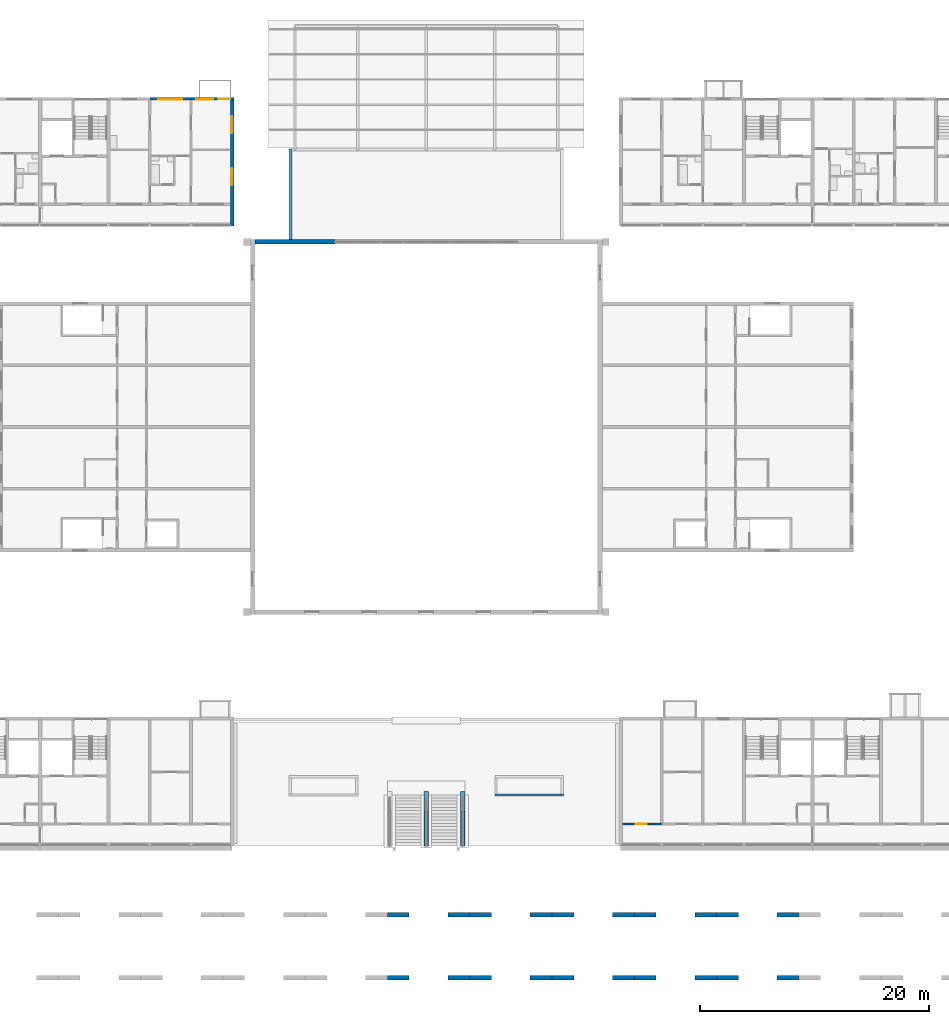
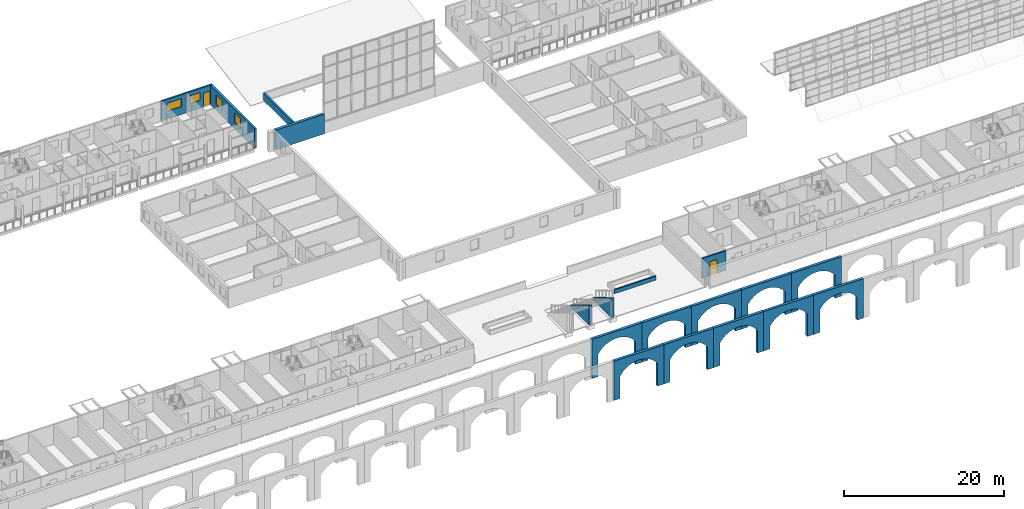
# One storey, part 67 of 122: 19 walls, 4 windows, 2 doors, 6 openings.
"""IFC4 building model written with IfcOpenShell, lengths in metres."""

from ifc_helpers import new_model, si_unit, direction, frame, frame_2d, origin, place, context, subcontext, project, spatial, polyline, rectangle, outline, extrude, material, layer, layer_set, type_object, element, fill, save


model = new_model("IFC4")

# Units and contexts
model_context = context("Model", 3, precision=1e-05, world=origin(), true_north=direction((0.0, 1.0)))
body_context = subcontext(model_context, "Body", "Model", "MODEL_VIEW")
ifc_project = project(units=[si_unit("LENGTHUNIT", "METRE"), si_unit("AREAUNIT", "SQUARE_METRE"), si_unit("VOLUMEUNIT", "CUBIC_METRE"), si_unit("PLANEANGLEUNIT", "RADIAN"), si_unit("MASSUNIT", "GRAM", prefix="KILO")], contexts=[model_context])

# Site, building, storey
site_placement = place(None, origin())
site = spatial("IfcSite", under=ifc_project, at=site_placement, CompositionType="ELEMENT")
building_placement = place(site_placement, origin())
building = spatial("IfcBuilding", under=site, at=building_placement, Name="Ridgestep Commons", CompositionType="ELEMENT")
storey_placement = place(building_placement, frame((0.0, 0.0, 3.0)))
storey = spatial("IfcBuildingStorey", under=building, at=storey_placement, Name="L01", CompositionType="ELEMENT", Elevation=3.0)

# Walls
ifc_material_1 = material(Name="Precast concrete C40/50", Category="concrete")
ifc_layer_1 = layer(ifc_material_1, 0.25)
ifc_layer_set_1 = layer_set([ifc_layer_1], Name="Community parapet 250")
wall_type_1 = type_object("IfcWallType", Name="Community parapet 250", PredefinedType="PARAPET", material=ifc_layer_set_1)
wall_1_placement = place(storey_placement, frame((117.925048828125, 64.800048828125, 1.5), z_axis=(0.0, 0.0, 1.0), x_axis=(0.0, 1.0, 0.0)))
element("IfcWall", 1, at=wall_1_placement, inside=storey, type_object=wall_type_1, Name="Community parapet 250", PredefinedType="PARAPET", context=body_context, shape_type="SweptSolid", body=[
    extrude(rectangle(XDim=7.875, YDim=0.25, at=frame_2d((3.9375, 0.0))), origin(), (0.0, 0.0, 1.0), 1.10009765625),
])
ifc_material_2 = material(Name="Concrete C30/37", Category="concrete")
ifc_layer_2 = layer(ifc_material_2, 0.199951171875)
ifc_layer_set_2 = layer_set([ifc_layer_2], Name="Community planter wall 200")
wall_type_2 = type_object("IfcWallType", Name="Community planter wall 200", PredefinedType="SOLIDWALL", material=ifc_layer_set_2)
wall_2_placement = place(storey_placement, frame((135.800048828125, 16.199951171875, 0.0), z_axis=(0.0, 0.0, 1.0), x_axis=(1.0, 0.0, 0.0)))
element("IfcWall", 2, at=wall_2_placement, inside=storey, type_object=wall_type_2, Name="Planter wall", PredefinedType="SOLIDWALL", context=body_context, shape_type="SweptSolid", body=[
    extrude(rectangle(XDim=6.0, YDim=0.199951171875, at=frame_2d((3.0, 0.0))), origin(), (0.0, 0.0, 1.0), 0.60009765625),
])
ifc_material_3 = material(Name="Concrete C30/37", Category="concrete")
ifc_layer_3 = layer(ifc_material_3, 0.39990234375)
ifc_layer_set_3 = layer_set([ifc_layer_3], Name="Community retaining wall 400")
wall_type_3 = type_object("IfcWallType", Name="Community retaining wall 400", PredefinedType="SOLIDWALL", material=ifc_layer_set_3)
for number, where, z_axis, x_axis, name in (
    (3, (133.0, 11.75, 0.0), (0.0, 0.0, 1.0), (0.0, 1.0, 0.0), "Stair cheek wall"),
    (4, (129.800048828125, 11.75, 0.0), (0.0, 0.0, 1.0), (0.0, 1.0, 0.0), "Stair spine wall"),
):
    element("IfcWall", number, at=place(storey_placement, frame(where, z_axis=z_axis, x_axis=x_axis)), inside=storey, type_object=wall_type_3, Name=name, PredefinedType="SOLIDWALL", context=body_context, shape_type="SweptSolid", body=[
        extrude(outline(polyline([(0.0, 0.0), (4.760009765625, 0.0), (4.760009765625, 0.166748046875), (0.0, 3.0), (0.0, 0.0)])), frame((0.0, 0.199951171875, 0.0), z_axis=(0.0, -1.0, 0.0), x_axis=(1.0, 0.0, 0.0)), (0.0, 0.0, 1.0), 0.39990234375),
    ])
ifc_material_4 = material(Name="Precast concrete C40/50", Category="concrete")
ifc_layer_4 = layer(ifc_material_4, 0.39990234375)
ifc_layer_set_4 = layer_set([ifc_layer_4], Name="Community south arcade inner wall 400")
wall_type_4 = type_object("IfcWallType", Name="Community south arcade inner wall 400", PredefinedType="SOLIDWALL", material=ifc_layer_set_4)
wall_3_placement = place(storey_placement, frame((126.39990234375, 5.5, -3.25), z_axis=(0.0, -1.0, 0.0), x_axis=(1.0, 0.0, 0.0)))
element("IfcWall", 5, at=wall_3_placement, inside=storey, type_object=wall_type_4, Name="South arcade inner wall", PredefinedType="SOLIDWALL", context=body_context, shape_type="SweptSolid", body=[
    extrude(outline(polyline([(0.0, 0.0), (0.900146484375, 0.0), (0.900146484375, 3.449951171875), (1.35009765625, 4.01708984375), (1.800048828125, 4.3916015625), (2.25, 4.649169921875), (2.7001953125, 4.820068359375), (3.150146484375, 4.91796875), (3.60009765625, 4.949951171875), (4.050048828125, 4.91796875), (4.5, 4.820068359375), (4.9501953125, 4.649169921875), (5.400146484375, 4.3916015625), (5.85009765625, 4.01708984375), (6.300048828125, 3.449951171875), (6.300048828125, 0.0), (7.2001953125, 0.0), (7.2001953125, 6.0), (0.0, 6.0), (0.0, 0.0)])), origin(), (0.0, 0.0, -1.0), 0.39990234375),
])
wall_4_placement = place(storey_placement, frame((133.60009765625, 5.5, -3.25), z_axis=(0.0, -1.0, 0.0), x_axis=(1.0, 0.0, 0.0)))
element("IfcWall", 6, at=wall_4_placement, inside=storey, type_object=wall_type_4, Name="South arcade inner wall", PredefinedType="SOLIDWALL", context=body_context, shape_type="SweptSolid", body=[
    extrude(outline(polyline([(0.0, 0.0), (0.89990234375, 0.0), (0.89990234375, 3.449951171875), (1.349853515625, 4.01708984375), (1.7998046875, 4.3916015625), (2.25, 4.649169921875), (2.699951171875, 4.820068359375), (3.14990234375, 4.91796875), (3.599853515625, 4.949951171875), (4.0498046875, 4.91796875), (4.5, 4.820068359375), (4.949951171875, 4.649169921875), (5.39990234375, 4.3916015625), (5.849853515625, 4.01708984375), (6.2998046875, 3.449951171875), (6.2998046875, 0.0), (7.199951171875, 0.0), (7.199951171875, 6.0), (0.0, 6.0), (0.0, 0.0)])), origin(), (0.0, 0.0, -1.0), 0.39990234375),
])
wall_5_placement = place(storey_placement, frame((140.800048828125, 5.5, -3.25), z_axis=(0.0, -1.0, 0.0), x_axis=(1.0, 0.0, 0.0)))
element("IfcWall", 7, at=wall_5_placement, inside=storey, type_object=wall_type_4, Name="South arcade inner wall", PredefinedType="SOLIDWALL", context=body_context, shape_type="SweptSolid", body=[
    extrude(outline(polyline([(0.0, 0.0), (0.89990234375, 0.0), (0.89990234375, 3.449951171875), (1.349853515625, 4.01708984375), (1.800048828125, 4.3916015625), (2.25, 4.649169921875), (2.699951171875, 4.820068359375), (3.14990234375, 4.91796875), (3.599853515625, 4.949951171875), (4.050048828125, 4.91796875), (4.5, 4.820068359375), (4.949951171875, 4.649169921875), (5.39990234375, 4.3916015625), (5.849853515625, 4.01708984375), (6.300048828125, 3.449951171875), (6.300048828125, 0.0), (7.199951171875, 0.0), (7.199951171875, 6.0), (0.0, 6.0), (0.0, 0.0)])), origin(), (0.0, 0.0, -1.0), 0.39990234375),
])
wall_6_placement = place(storey_placement, frame((148.0, 5.5, -3.25), z_axis=(0.0, -1.0, 0.0), x_axis=(1.0, 0.0, 0.0)))
element("IfcWall", 8, at=wall_6_placement, inside=storey, type_object=wall_type_4, Name="South arcade inner wall", PredefinedType="SOLIDWALL", context=body_context, shape_type="SweptSolid", body=[
    extrude(outline(polyline([(0.0, 0.0), (0.89990234375, 0.0), (0.89990234375, 3.449951171875), (1.35009765625, 4.01708984375), (1.800048828125, 4.3916015625), (2.25, 4.649169921875), (2.699951171875, 4.820068359375), (3.14990234375, 4.91796875), (3.60009765625, 4.949951171875), (4.050048828125, 4.91796875), (4.5, 4.820068359375), (4.949951171875, 4.649169921875), (5.39990234375, 4.3916015625), (5.85009765625, 4.01708984375), (6.300048828125, 3.449951171875), (6.300048828125, 0.0), (7.199951171875, 0.0), (7.199951171875, 6.0), (0.0, 6.0), (0.0, 0.0)])), origin(), (0.0, 0.0, -1.0), 0.39990234375),
])
wall_7_placement = place(storey_placement, frame((155.199951171875, 5.5, -3.25), z_axis=(0.0, -1.0, 0.0), x_axis=(1.0, 0.0, 0.0)))
element("IfcWall", 9, at=wall_7_placement, inside=storey, type_object=wall_type_4, Name="South arcade inner wall", PredefinedType="SOLIDWALL", context=body_context, shape_type="SweptSolid", body=[
    extrude(outline(polyline([(0.0, 0.0), (0.900146484375, 0.0), (0.900146484375, 3.449951171875), (1.35009765625, 4.01708984375), (1.800048828125, 4.3916015625), (2.25, 4.649169921875), (2.699951171875, 4.820068359375), (3.150146484375, 4.91796875), (3.60009765625, 4.949951171875), (4.050048828125, 4.91796875), (4.5, 4.820068359375), (4.949951171875, 4.649169921875), (5.400146484375, 4.3916015625), (5.85009765625, 4.01708984375), (6.300048828125, 3.449951171875), (6.300048828125, 0.0), (7.199951171875, 0.0), (7.199951171875, 6.0), (0.0, 6.0), (0.0, 0.0)])), origin(), (0.0, 0.0, -1.0), 0.39990234375),
])
ifc_material_5 = material(Name="Precast concrete C40/50", Category="concrete")
ifc_layer_5 = layer(ifc_material_5, 0.39990234375)
ifc_layer_set_5 = layer_set([ifc_layer_5], Name="Community south arcade wall 400")
wall_type_5 = type_object("IfcWallType", Name="Community south arcade wall 400", PredefinedType="SOLIDWALL", material=ifc_layer_set_5)
wall_8_placement = place(storey_placement, frame((126.39990234375, 0.001953125, -3.25), z_axis=(0.0, -1.0, 0.0), x_axis=(1.0, 0.0, 0.0)))
element("IfcWall", 10, at=wall_8_placement, inside=storey, type_object=wall_type_5, Name="South arcade wall", PredefinedType="SOLIDWALL", context=body_context, shape_type="SweptSolid", body=[
    extrude(outline(polyline([(0.0, 0.0), (0.900146484375, 0.0), (0.900146484375, 3.449951171875), (1.35009765625, 4.01708984375), (1.800048828125, 4.3916015625), (2.25, 4.649169921875), (2.7001953125, 4.820068359375), (3.150146484375, 4.91796875), (3.60009765625, 4.949951171875), (4.050048828125, 4.91796875), (4.5, 4.820068359375), (4.9501953125, 4.649169921875), (5.400146484375, 4.3916015625), (5.85009765625, 4.01708984375), (6.300048828125, 3.449951171875), (6.300048828125, 0.0), (7.2001953125, 0.0), (7.2001953125, 6.0), (0.0, 6.0), (0.0, 0.0)])), origin(), (0.0, 0.0, -1.0), 0.39990234375),
])
wall_9_placement = place(storey_placement, frame((133.60009765625, 0.001953125, -3.25), z_axis=(0.0, -1.0, 0.0), x_axis=(1.0, 0.0, 0.0)))
element("IfcWall", 11, at=wall_9_placement, inside=storey, type_object=wall_type_5, Name="South arcade wall", PredefinedType="SOLIDWALL", context=body_context, shape_type="SweptSolid", body=[
    extrude(outline(polyline([(0.0, 0.0), (0.89990234375, 0.0), (0.89990234375, 3.449951171875), (1.349853515625, 4.01708984375), (1.7998046875, 4.3916015625), (2.25, 4.649169921875), (2.699951171875, 4.820068359375), (3.14990234375, 4.91796875), (3.599853515625, 4.949951171875), (4.0498046875, 4.91796875), (4.5, 4.820068359375), (4.949951171875, 4.649169921875), (5.39990234375, 4.3916015625), (5.849853515625, 4.01708984375), (6.2998046875, 3.449951171875), (6.2998046875, 0.0), (7.199951171875, 0.0), (7.199951171875, 6.0), (0.0, 6.0), (0.0, 0.0)])), origin(), (0.0, 0.0, -1.0), 0.39990234375),
])
wall_10_placement = place(storey_placement, frame((140.800048828125, 0.001953125, -3.25), z_axis=(0.0, -1.0, 0.0), x_axis=(1.0, 0.0, 0.0)))
element("IfcWall", 12, at=wall_10_placement, inside=storey, type_object=wall_type_5, Name="South arcade wall", PredefinedType="SOLIDWALL", context=body_context, shape_type="SweptSolid", body=[
    extrude(outline(polyline([(0.0, 0.0), (0.89990234375, 0.0), (0.89990234375, 3.449951171875), (1.349853515625, 4.01708984375), (1.800048828125, 4.3916015625), (2.25, 4.649169921875), (2.699951171875, 4.820068359375), (3.14990234375, 4.91796875), (3.599853515625, 4.949951171875), (4.050048828125, 4.91796875), (4.5, 4.820068359375), (4.949951171875, 4.649169921875), (5.39990234375, 4.3916015625), (5.849853515625, 4.01708984375), (6.300048828125, 3.449951171875), (6.300048828125, 0.0), (7.199951171875, 0.0), (7.199951171875, 6.0), (0.0, 6.0), (0.0, 0.0)])), origin(), (0.0, 0.0, -1.0), 0.39990234375),
])
wall_11_placement = place(storey_placement, frame((148.0, 0.001953125, -3.25), z_axis=(0.0, -1.0, 0.0), x_axis=(1.0, 0.0, 0.0)))
element("IfcWall", 13, at=wall_11_placement, inside=storey, type_object=wall_type_5, Name="South arcade wall", PredefinedType="SOLIDWALL", context=body_context, shape_type="SweptSolid", body=[
    extrude(outline(polyline([(0.0, 0.0), (0.89990234375, 0.0), (0.89990234375, 3.449951171875), (1.35009765625, 4.01708984375), (1.800048828125, 4.3916015625), (2.25, 4.649169921875), (2.699951171875, 4.820068359375), (3.14990234375, 4.91796875), (3.60009765625, 4.949951171875), (4.050048828125, 4.91796875), (4.5, 4.820068359375), (4.949951171875, 4.649169921875), (5.39990234375, 4.3916015625), (5.85009765625, 4.01708984375), (6.300048828125, 3.449951171875), (6.300048828125, 0.0), (7.199951171875, 0.0), (7.199951171875, 6.0), (0.0, 6.0), (0.0, 0.0)])), origin(), (0.0, 0.0, -1.0), 0.39990234375),
])
wall_12_placement = place(storey_placement, frame((155.199951171875, 0.001953125, -3.25), z_axis=(0.0, -1.0, 0.0), x_axis=(1.0, 0.0, 0.0)))
element("IfcWall", 14, at=wall_12_placement, inside=storey, type_object=wall_type_5, Name="South arcade wall", PredefinedType="SOLIDWALL", context=body_context, shape_type="SweptSolid", body=[
    extrude(outline(polyline([(0.0, 0.0), (0.900146484375, 0.0), (0.900146484375, 3.449951171875), (1.35009765625, 4.01708984375), (1.800048828125, 4.3916015625), (2.25, 4.649169921875), (2.699951171875, 4.820068359375), (3.150146484375, 4.91796875), (3.60009765625, 4.949951171875), (4.050048828125, 4.91796875), (4.5, 4.820068359375), (4.949951171875, 4.649169921875), (5.400146484375, 4.3916015625), (5.85009765625, 4.01708984375), (6.300048828125, 3.449951171875), (6.300048828125, 0.0), (7.199951171875, 0.0), (7.199951171875, 6.0), (0.0, 6.0), (0.0, 0.0)])), origin(), (0.0, 0.0, -1.0), 0.39990234375),
])

# Wall, openings, windows
ifc_material_6 = material(Name="Precast concrete C40/50", Category="concrete")
ifc_layer_6 = layer(ifc_material_6, 0.300048828125)
ifc_layer_set_6 = layer_set([ifc_layer_6], Name="Exposed division wall 300")
wall_type_6 = type_object("IfcWallType", Name="Exposed division wall 300", PredefinedType="SHEAR", material=ifc_layer_set_6)
wall_13_placement = place(storey_placement, frame((112.800048828125, 66.0, 0.0), z_axis=(0.0, 0.0, 1.0), x_axis=(0.0, 1.0, 0.0)))
wall_13 = element("IfcWall", 15, at=wall_13_placement, inside=storey, type_object=wall_type_6, Name="Cross wall B-01-1128", PredefinedType="SHEAR", context=body_context, shape_type="SweptSolid", body=[
    extrude(rectangle(XDim=11.0, YDim=0.300048828125, at=frame_2d((5.5, 0.0))), origin(), (0.0, 0.0, 1.0), 3.0),
])
opening_1_placement = place(wall_13_placement, frame((3.550048828125, 0.0, 0.89990234375)))
opening_1 = element("IfcOpeningElement", 16, at=opening_1_placement, cuts=wall_13, Name="Opening W16", PredefinedType="OPENING", context=body_context, shape_type="SweptSolid", body=[
    extrude(rectangle(XDim=1.5, YDim=1.5, at=frame_2d((0.75, 0.75))), frame((0.0, 0.159912109375, 0.0), z_axis=(0.0, -1.0, 0.0), x_axis=(1.0, 0.0, 0.0)), (0.0, 0.0, 1.0), 0.320068359375),
])
opening_2_placement = place(wall_13_placement, frame((8.10498046875, 0.0, 0.89990234375)))
opening_2 = element("IfcOpeningElement", 17, at=opening_2_placement, cuts=wall_13, Name="Opening W16", PredefinedType="OPENING", context=body_context, shape_type="SweptSolid", body=[
    extrude(rectangle(XDim=1.5, YDim=1.5, at=frame_2d((0.75, 0.75))), frame((0.0, 0.159912109375, 0.0), z_axis=(0.0, -1.0, 0.0), x_axis=(1.0, 0.0, 0.0)), (0.0, 0.0, 1.0), 0.320068359375),
])
ifc_material_7 = material(Name="Aluminium 6063-T6 and glass", Category="aluminium")
window_type_1 = type_object("IfcWindowType", Name="Flat window 1500 x 1500", PartitioningType="DOUBLE_PANEL_VERTICAL", PredefinedType="WINDOW", material=ifc_material_7)
window_1_placement = place(opening_1_placement, origin())
window_1 = element("IfcWindow", 18, at=window_1_placement, inside=storey, type_object=window_type_1, Name="Window B6-01a 6", OverallHeight=1.5, OverallWidth=1.5, PartitioningType="SINGLE_PANEL", PredefinedType="WINDOW", context=body_context, shape_type="SweptSolid", body=[
    extrude(rectangle(XDim=1.5, YDim=1.5, at=frame_2d((0.75, 0.75))), frame((0.0, 0.06005859375, 0.0), z_axis=(0.0, -1.0, 0.0), x_axis=(1.0, 0.0, 0.0)), (0.0, 0.0, 1.0), 0.06005859375),
])
fill(opening_1, window_1)
window_2_placement = place(opening_2_placement, origin())
window_2 = element("IfcWindow", 19, at=window_2_placement, inside=storey, type_object=window_type_1, Name="Window B6-01a 7", OverallHeight=1.5, OverallWidth=1.5, PartitioningType="SINGLE_PANEL", PredefinedType="WINDOW", context=body_context, shape_type="SweptSolid", body=[
    extrude(rectangle(XDim=1.5, YDim=1.5, at=frame_2d((0.75, 0.75))), frame((0.0, 0.06005859375, 0.0), z_axis=(0.0, -1.0, 0.0), x_axis=(1.0, 0.0, 0.0)), (0.0, 0.0, 1.0), 0.06005859375),
])
fill(opening_2, window_2)

# Wall
ifc_material_8 = material(Name="Precast concrete C40/50", Category="concrete")
ifc_layer_7 = layer(ifc_material_8, 0.39990234375)
ifc_layer_set_7 = layer_set([ifc_layer_7], Name="Hall wall 400")
wall_type_7 = type_object("IfcWallType", Name="Hall wall 400", PredefinedType="SOLIDWALL", material=ifc_layer_set_7)
wall_14_placement = place(storey_placement, frame((114.800048828125, 64.60009765625, 0.0), z_axis=(0.0, 0.0, 1.0), x_axis=(1.0, 0.0, 0.0)))
element("IfcWall", 20, at=wall_14_placement, inside=storey, type_object=wall_type_7, Name="Hall wall 400", PredefinedType="SOLIDWALL", context=body_context, shape_type="SweptSolid", body=[
    extrude(rectangle(XDim=7.0, YDim=0.39990234375, at=frame_2d((3.5, 0.0))), origin(), (0.0, 0.0, 1.0), 3.0),
])

# Wall, opening, window
ifc_material_9 = material(Name="Precast concrete C40/50", Category="concrete")
ifc_layer_8 = layer(ifc_material_9, 0.25)
ifc_layer_set_8 = layer_set([ifc_layer_8], Name="North facade panel 250")
wall_type_8 = type_object("IfcWallType", Name="North facade panel 250", PredefinedType="SOLIDWALL", material=ifc_layer_set_8)
wall_15_placement = place(storey_placement, frame((105.60009765625, 77.125, 0.0), z_axis=(0.0, 0.0, 1.0), x_axis=(1.0, 0.0, 0.0)))
wall_15 = element("IfcWall", 21, at=wall_15_placement, inside=storey, type_object=wall_type_8, Name="North panel B6T2 L01", PredefinedType="SOLIDWALL", context=body_context, shape_type="SweptSolid", body=[
    extrude(rectangle(XDim=3.599853515625, YDim=0.25, at=frame_2d((1.7998046875, 0.0))), origin(), (0.0, 0.0, 1.0), 3.0),
])
opening_3_placement = place(wall_15_placement, frame((0.75, 0.0, 1.199951171875)))
opening_3 = element("IfcOpeningElement", 22, at=opening_3_placement, cuts=wall_15, Name="Opening W22", PredefinedType="OPENING", context=body_context, shape_type="SweptSolid", body=[
    extrude(rectangle(XDim=2.10009765625, YDim=1.199951171875, at=frame_2d((1.050048828125, 0.60009765625))), frame((0.0, 0.135009765625, 0.0), z_axis=(0.0, -1.0, 0.0), x_axis=(1.0, 0.0, 0.0)), (0.0, 0.0, 1.0), 0.27001953125),
])
ifc_material_10 = material(Name="Aluminium 6063-T6 and glass", Category="aluminium")
window_type_2 = type_object("IfcWindowType", Name="Flat window 2100 x 1200", PartitioningType="DOUBLE_PANEL_VERTICAL", PredefinedType="WINDOW", material=ifc_material_10)
window_3_placement = place(opening_3_placement, origin())
window_3 = element("IfcWindow", 23, at=window_3_placement, inside=storey, type_object=window_type_2, Name="Window B6-01a 5", OverallHeight=1.199951171875, OverallWidth=2.10009765625, PartitioningType="SINGLE_PANEL", PredefinedType="WINDOW", context=body_context, shape_type="SweptSolid", body=[
    extrude(rectangle(XDim=2.10009765625, YDim=1.199951171875, at=frame_2d((1.050048828125, 0.60009765625))), frame((0.0, -0.02490234375, 0.0), z_axis=(0.0, -1.0, 0.0), x_axis=(1.0, 0.0, 0.0)), (0.0, 0.0, 1.0), 0.06005859375),
])
fill(opening_3, window_3)

# Wall, openings, door, window
wall_16_placement = place(storey_placement, frame((109.199951171875, 77.125, 0.0), z_axis=(0.0, 0.0, 1.0), x_axis=(1.0, 0.0, 0.0)))
wall_16 = element("IfcWall", 24, at=wall_16_placement, inside=storey, type_object=wall_type_8, Name="North panel B6T1 L01", PredefinedType="SOLIDWALL", context=body_context, shape_type="SweptSolid", body=[
    extrude(rectangle(XDim=3.75, YDim=0.25, at=frame_2d((1.875, 0.0))), origin(), (0.0, 0.0, 1.0), 3.0),
])
opening_4_placement = place(wall_16_placement, frame((0.473388671875, 0.0, 1.199951171875)))
opening_4 = element("IfcOpeningElement", 25, at=opening_4_placement, cuts=wall_16, Name="Opening W13", PredefinedType="OPENING", context=body_context, shape_type="SweptSolid", body=[
    extrude(rectangle(XDim=1.5, YDim=1.199951171875, at=frame_2d((0.75, 0.60009765625))), frame((0.0, 0.135009765625, 0.0), z_axis=(0.0, -1.0, 0.0), x_axis=(1.0, 0.0, 0.0)), (0.0, 0.0, 1.0), 0.27001953125),
])
opening_5_placement = place(wall_16_placement, frame((2.447021484375, 0.0, 0.0)))
opening_5 = element("IfcOpeningElement", 26, at=opening_5_placement, cuts=wall_16, Name="Opening B6-01a/8", PredefinedType="OPENING", context=body_context, shape_type="SweptSolid", body=[
    extrude(rectangle(XDim=1.0, YDim=2.10009765625, at=frame_2d((0.5, 1.050048828125))), frame((0.0, 0.135009765625, 0.0), z_axis=(0.0, -1.0, 0.0), x_axis=(1.0, 0.0, 0.0)), (0.0, 0.0, 1.0), 0.27001953125),
])
ifc_material_11 = material(Name="Aluminium and glass", Category="aluminium")
door_type_1 = type_object("IfcDoorType", Name="Balcony door 1000 x 2100", OperationType="NOTDEFINED", PredefinedType="DOOR", material=ifc_material_11)
door_1_placement = place(opening_5_placement, origin())
door_1 = element("IfcDoor", 27, at=door_1_placement, inside=storey, type_object=door_type_1, Name="Balcony door B6-01a/8", OperationType="SINGLE_SWING_LEFT", OverallHeight=2.10009765625, OverallWidth=1.0, PredefinedType="DOOR", context=body_context, shape_type="SweptSolid", body=[
    extrude(rectangle(XDim=1.0, YDim=2.10009765625, at=frame_2d((0.5, 1.050048828125))), frame((0.0, 0.02490234375, 0.0), z_axis=(0.0, -1.0, 0.0), x_axis=(1.0, 0.0, 0.0)), (0.0, 0.0, 1.0), 0.050048828125),
])
fill(opening_5, door_1)
ifc_material_12 = material(Name="Aluminium 6063-T6 and glass", Category="aluminium")
window_type_3 = type_object("IfcWindowType", Name="Flat window 1500 x 1200", PartitioningType="DOUBLE_PANEL_VERTICAL", PredefinedType="WINDOW", material=ifc_material_12)
window_4_placement = place(opening_4_placement, origin())
window_4 = element("IfcWindow", 28, at=window_4_placement, inside=storey, type_object=window_type_3, Name="Window B6-01a 4", OverallHeight=1.199951171875, OverallWidth=1.5, PartitioningType="SINGLE_PANEL", PredefinedType="WINDOW", context=body_context, shape_type="SweptSolid", body=[
    extrude(rectangle(XDim=1.5, YDim=1.199951171875, at=frame_2d((0.75, 0.60009765625))), frame((0.0, -0.02490234375, 0.0), z_axis=(0.0, -1.0, 0.0), x_axis=(1.0, 0.0, 0.0)), (0.0, 0.0, 1.0), 0.06005859375),
])
fill(opening_4, window_4)

# Wall, opening, door
ifc_material_13 = material(Name="Precast concrete C40/50", Category="concrete")
ifc_layer_9 = layer(ifc_material_13, 0.199951171875)
ifc_layer_set_9 = layer_set([ifc_layer_9], Name="South facade panel 200")
wall_type_9 = type_object("IfcWallType", Name="South facade panel 200", PredefinedType="SOLIDWALL", material=ifc_layer_set_9)
wall_17_placement = place(storey_placement, frame((146.949951171875, 13.64990234375, 0.0), z_axis=(0.0, 0.0, 1.0), x_axis=(1.0, 0.0, 0.0)))
wall_17 = element("IfcWall", 29, at=wall_17_placement, inside=storey, type_object=wall_type_9, Name="South panel D1T1 L01", PredefinedType="SOLIDWALL", context=body_context, shape_type="SweptSolid", body=[
    extrude(rectangle(XDim=3.449951171875, YDim=0.199951171875, at=frame_2d((1.72509765625, 0.0))), origin(), (0.0, 0.0, 1.0), 3.0),
])
opening_6_placement = place(wall_17_placement, frame((1.16259765625, 0.0, 0.0)))
opening_6 = element("IfcOpeningElement", 30, at=opening_6_placement, cuts=wall_17, Name="Opening D1-01p/1", PredefinedType="OPENING", context=body_context, shape_type="SweptSolid", body=[
    extrude(rectangle(XDim=1.0, YDim=2.10009765625, at=frame_2d((0.5, 1.050048828125))), frame((0.0, 0.10986328125, 0.0), z_axis=(0.0, -1.0, 0.0), x_axis=(1.0, 0.0, 0.0)), (0.0, 0.0, 1.0), 0.219970703125),
])
ifc_material_14 = material(Name="Steel door leaf", Category="steel")
door_type_2 = type_object("IfcDoorType", Name="Store door 1000 x 2100", OperationType="NOTDEFINED", PredefinedType="DOOR", material=ifc_material_14)
door_2_placement = place(opening_6_placement, origin())
door_2 = element("IfcDoor", 31, at=door_2_placement, inside=storey, type_object=door_type_2, Name="Store door D1-01p/1", OperationType="SINGLE_SWING_RIGHT", OverallHeight=2.10009765625, OverallWidth=1.0, PredefinedType="DOOR", context=body_context, shape_type="SweptSolid", body=[
    extrude(rectangle(XDim=1.0, YDim=2.10009765625, at=frame_2d((0.5, 1.050048828125))), frame((0.0, 0.02490234375, 0.0), z_axis=(0.0, -1.0, 0.0), x_axis=(1.0, 0.0, 0.0)), (0.0, 0.0, 1.0), 0.050048828125),
])
fill(opening_6, door_2)

save(model, "model.ifc")
